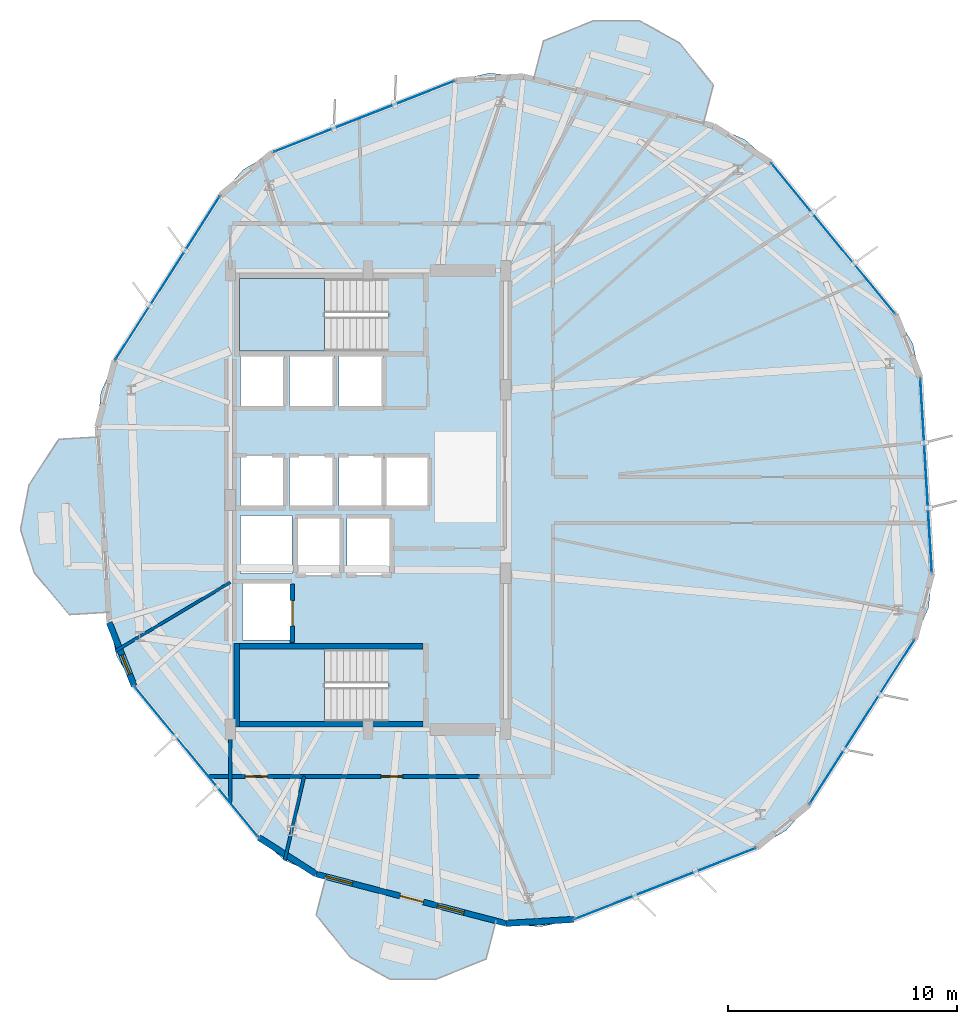
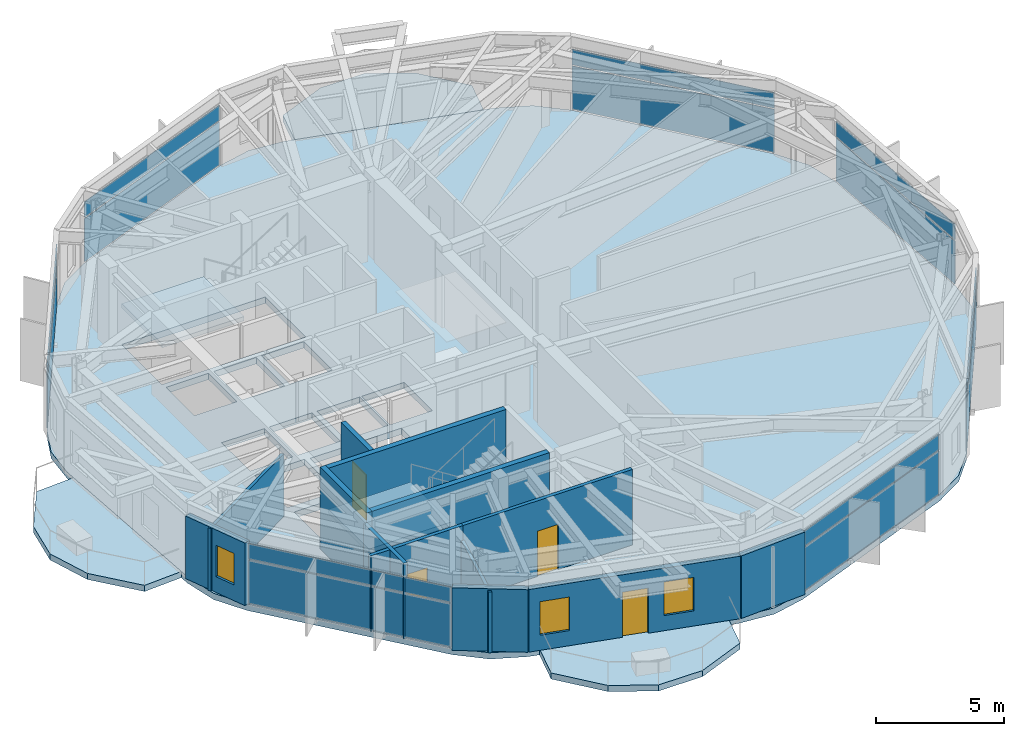
# One storey, part 16 of 22: 14 plates, 13 walls, 6 slabs, 4 doors, 3 windows, 7 openings, 9 elements without a shape of their own.
"""IFC4 building model written with IfcOpenShell, lengths in metres."""

from ifc_helpers import new_model, si_unit, direction, frame, frame_2d, origin, origin_2d, place, context, subcontext, project, spatial, polyline, rectangle, outline, extrude, material, layer, layer_set, type_object, element, fill, aggregate, save


model = new_model("IFC4")

# Units and contexts
model_context = context("Model", 3, precision=1e-05, world=origin(), true_north=direction((0.0, 1.0)))
body_context = subcontext(model_context, "Body", "Model", "MODEL_VIEW")
ifc_project = project(units=[si_unit("LENGTHUNIT", "METRE"), si_unit("AREAUNIT", "SQUARE_METRE"), si_unit("VOLUMEUNIT", "CUBIC_METRE"), si_unit("PLANEANGLEUNIT", "RADIAN"), si_unit("MASSUNIT", "GRAM", prefix="KILO")], contexts=[model_context])

# Site, building, storey
site_placement = place(None, origin())
site = spatial("IfcSite", under=ifc_project, at=site_placement, CompositionType="ELEMENT")
building_placement = place(site_placement, origin())
building = spatial("IfcBuilding", under=site, at=building_placement, Name="Soratama Intermodal Tower", CompositionType="ELEMENT")
storey_placement = place(building_placement, frame((0.0, 0.0, 110.800048828125)))
storey = spatial("IfcBuildingStorey", under=building, at=storey_placement, Name="L26", CompositionType="ELEMENT", Elevation=110.800048828125)

# Curtain wall, plates
ifc_material_1 = material(Name="Double-glazed aluminium curtain wall", Category="aluminium")
ifc_layer_1 = layer(ifc_material_1, 0.159912109375)
ifc_layer_set_1 = layer_set([ifc_layer_1], Name="Double-glazed aluminium curtain wall")
curtain_wall_type = type_object("IfcCurtainWallType", Name="CW-SYS-3", PredefinedType="NOTDEFINED", material=ifc_layer_set_1)
curtain_wall_1_placement = place(storey_placement, origin())
curtain_wall_1 = element("IfcCurtainWall", 1, at=curtain_wall_1_placement, inside=storey, type_object=curtain_wall_type, Name="L26 Faceted Curtain Wall F01", PredefinedType="NOTDEFINED")
ifc_material_2 = material(Name="Low-E laminated double glazing", Category="glass")
ifc_layer_2 = layer(ifc_material_2, 0.028076171875)
ifc_layer_set_2 = layer_set([ifc_layer_2], Name="Low-E laminated double glazing")
plate_type = type_object("IfcPlateType", Name="PT-CWP-3", PredefinedType="CURTAIN_PANEL", material=ifc_layer_set_2)
plate_1_placement = place(storey_placement, frame((58.8759765625, 36.406005859375, 0.059814453125), z_axis=(0.0, 0.0, 1.0), x_axis=(-0.634998434191, 0.77251342291, 0.0)))
plate_1 = element("IfcPlate", 2, at=plate_1_placement, type_object=plate_type, Name="CW-3 panel 1.1", PredefinedType="CURTAIN_PANEL", context=body_context, shape_type="SweptSolid", body=[
    extrude(rectangle(XDim=8.433349609375, YDim=0.028076171875, at=origin_2d()), origin(), (0.0, 0.0, 1.0), 2.06005859375),
])
plate_2_placement = place(storey_placement, frame((58.8759765625, 36.406005859375, 2.18017578125), z_axis=(0.0, 0.0, 1.0), x_axis=(-0.634998434191, 0.77251342291, 0.0)))
plate_2 = element("IfcPlate", 3, at=plate_2_placement, type_object=plate_type, Name="CW-3 panel 1.2", PredefinedType="CURTAIN_PANEL", context=body_context, shape_type="SweptSolid", body=[
    extrude(rectangle(XDim=8.433349609375, YDim=0.028076171875, at=origin_2d()), origin(), (0.0, 0.0, 1.0), 0.739013671875),
])
aggregate(curtain_wall_1, [plate_1, plate_2])

curtain_wall_2_placement = place(storey_placement, origin())
curtain_wall_2 = element("IfcCurtainWall", 4, at=curtain_wall_2_placement, inside=storey, type_object=curtain_wall_type, Name="L26 Faceted Curtain Wall F03", PredefinedType="NOTDEFINED")
plate_3_placement = place(storey_placement, frame((38.440185546875, 41.721435546875, 0.059814453125), z_axis=(0.0, 0.0, 1.0), x_axis=(-0.93092589474, -0.36520813039, 0.0)))
plate_3 = element("IfcPlate", 5, at=plate_3_placement, type_object=plate_type, Name="CW-3 panel 1.1", PredefinedType="CURTAIN_PANEL", context=body_context, shape_type="SweptSolid", body=[
    extrude(rectangle(XDim=8.43310546875, YDim=0.028076171875, at=origin_2d()), origin(), (0.0, 0.0, 1.0), 2.06005859375),
])
plate_4_placement = place(storey_placement, frame((38.440185546875, 41.721435546875, 2.18017578125), z_axis=(0.0, 0.0, 1.0), x_axis=(-0.93092589474, -0.36520813039, 0.0)))
plate_4 = element("IfcPlate", 6, at=plate_4_placement, type_object=plate_type, Name="CW-3 panel 1.2", PredefinedType="CURTAIN_PANEL", context=body_context, shape_type="SweptSolid", body=[
    extrude(rectangle(XDim=8.43310546875, YDim=0.028076171875, at=origin_2d()), origin(), (0.0, 0.0, 1.0), 0.739013671875),
])
aggregate(curtain_wall_2, [plate_3, plate_4])

curtain_wall_3_placement = place(storey_placement, origin())
curtain_wall_3 = element("IfcCurtainWall", 7, at=curtain_wall_3_placement, inside=storey, type_object=curtain_wall_type, Name="L26 Faceted Curtain Wall F04", PredefinedType="NOTDEFINED")
plate_5_placement = place(storey_placement, frame((29.864501953125, 34.672119140625, 0.059814453125), z_axis=(0.0, 0.0, 1.0), x_axis=(-0.538478294608, -0.842639380895, 0.0)))
plate_5 = element("IfcPlate", 8, at=plate_5_placement, type_object=plate_type, Name="CW-3 panel 1.1", PredefinedType="CURTAIN_PANEL", context=body_context, shape_type="SweptSolid", body=[
    extrude(rectangle(XDim=8.433349609375, YDim=0.028076171875, at=origin_2d()), origin(), (0.0, 0.0, 1.0), 2.06005859375),
])
plate_6_placement = place(storey_placement, frame((29.864501953125, 34.672119140625, 2.18017578125), z_axis=(0.0, 0.0, 1.0), x_axis=(-0.538478294608, -0.842639380895, 0.0)))
plate_6 = element("IfcPlate", 9, at=plate_6_placement, type_object=plate_type, Name="CW-3 panel 1.2", PredefinedType="CURTAIN_PANEL", context=body_context, shape_type="SweptSolid", body=[
    extrude(rectangle(XDim=8.433349609375, YDim=0.028076171875, at=origin_2d()), origin(), (0.0, 0.0, 1.0), 0.739013671875),
])
aggregate(curtain_wall_3, [plate_5, plate_6])

curtain_wall_4_placement = place(storey_placement, origin())
curtain_wall_4 = element("IfcCurtainWall", 10, at=curtain_wall_4_placement, inside=storey, type_object=curtain_wall_type, Name="L26 Faceted Curtain Wall F06", PredefinedType="NOTDEFINED")
plate_7_placement = place(storey_placement, frame((31.1240234375, 13.593994140625, 0.059814453125), z_axis=(0.0, 0.0, 1.0), x_axis=(0.634998434191, -0.77251342291, 0.0)))
plate_7 = element("IfcPlate", 11, at=plate_7_placement, type_object=plate_type, Name="CW-3 panel 1.1", PredefinedType="CURTAIN_PANEL", context=body_context, shape_type="SweptSolid", body=[
    extrude(rectangle(XDim=8.433349609375, YDim=0.028076171875, at=origin_2d()), origin(), (0.0, 0.0, 1.0), 2.06005859375),
])
plate_8_placement = place(storey_placement, frame((31.1240234375, 13.593994140625, 2.18017578125), z_axis=(0.0, 0.0, 1.0), x_axis=(0.634998434191, -0.77251342291, 0.0)))
plate_8 = element("IfcPlate", 12, at=plate_8_placement, type_object=plate_type, Name="CW-3 panel 1.2", PredefinedType="CURTAIN_PANEL", context=body_context, shape_type="SweptSolid", body=[
    extrude(rectangle(XDim=8.433349609375, YDim=0.028076171875, at=origin_2d()), origin(), (0.0, 0.0, 1.0), 0.739013671875),
])
aggregate(curtain_wall_4, [plate_7, plate_8])

curtain_wall_5_placement = place(storey_placement, origin())
curtain_wall_5 = element("IfcCurtainWall", 13, at=curtain_wall_5_placement, inside=storey, type_object=curtain_wall_type, Name="L26 Faceted Curtain Wall F08", PredefinedType="NOTDEFINED")
plate_9_placement = place(storey_placement, frame((51.559814453125, 8.278564453125, 0.059814453125), z_axis=(0.0, 0.0, 1.0), x_axis=(0.93092589474, 0.36520813039, 0.0)))
plate_9 = element("IfcPlate", 14, at=plate_9_placement, type_object=plate_type, Name="CW-3 panel 1.1", PredefinedType="CURTAIN_PANEL", context=body_context, shape_type="SweptSolid", body=[
    extrude(rectangle(XDim=8.43310546875, YDim=0.028076171875, at=origin_2d()), origin(), (0.0, 0.0, 1.0), 2.06005859375),
])
plate_10_placement = place(storey_placement, frame((51.559814453125, 8.278564453125, 2.18017578125), z_axis=(0.0, 0.0, 1.0), x_axis=(0.93092589474, 0.36520813039, 0.0)))
plate_10 = element("IfcPlate", 15, at=plate_10_placement, type_object=plate_type, Name="CW-3 panel 1.2", PredefinedType="CURTAIN_PANEL", context=body_context, shape_type="SweptSolid", body=[
    extrude(rectangle(XDim=8.43310546875, YDim=0.028076171875, at=origin_2d()), origin(), (0.0, 0.0, 1.0), 0.739013671875),
])
aggregate(curtain_wall_5, [plate_9, plate_10])

curtain_wall_6_placement = place(storey_placement, origin())
curtain_wall_6 = element("IfcCurtainWall", 16, at=curtain_wall_6_placement, inside=storey, type_object=curtain_wall_type, Name="L26 Faceted Curtain Wall F09", PredefinedType="NOTDEFINED")
plate_11_placement = place(storey_placement, frame((60.135498046875, 15.327880859375, 0.059814453125), z_axis=(0.0, 0.0, 1.0), x_axis=(0.538478294608, 0.842639380895, 0.0)))
plate_11 = element("IfcPlate", 17, at=plate_11_placement, type_object=plate_type, Name="CW-3 panel 1.1", PredefinedType="CURTAIN_PANEL", context=body_context, shape_type="SweptSolid", body=[
    extrude(rectangle(XDim=8.433349609375, YDim=0.028076171875, at=origin_2d()), origin(), (0.0, 0.0, 1.0), 2.06005859375),
])
plate_12_placement = place(storey_placement, frame((60.135498046875, 15.327880859375, 2.18017578125), z_axis=(0.0, 0.0, 1.0), x_axis=(0.538478294608, 0.842639380895, 0.0)))
plate_12 = element("IfcPlate", 18, at=plate_12_placement, type_object=plate_type, Name="CW-3 panel 1.2", PredefinedType="CURTAIN_PANEL", context=body_context, shape_type="SweptSolid", body=[
    extrude(rectangle(XDim=8.433349609375, YDim=0.028076171875, at=origin_2d()), origin(), (0.0, 0.0, 1.0), 0.739013671875),
])
aggregate(curtain_wall_6, [plate_11, plate_12])

curtain_wall_7_placement = place(storey_placement, origin())
curtain_wall_7 = element("IfcCurtainWall", 19, at=curtain_wall_7_placement, inside=storey, type_object=curtain_wall_type, Name="L26 Faceted Curtain Wall F10", PredefinedType="NOTDEFINED")
plate_13_placement = place(storey_placement, frame((62.93017578125, 26.071533203125, 0.059814453125), z_axis=(0.0, 0.0, 1.0), x_axis=(-0.059661628176, 0.998218658473, 0.0)))
plate_13 = element("IfcPlate", 20, at=plate_13_placement, type_object=plate_type, Name="CW-3 panel 1.1", PredefinedType="CURTAIN_PANEL", context=body_context, shape_type="SweptSolid", body=[
    extrude(rectangle(XDim=8.433349609375, YDim=0.028076171875, at=origin_2d()), origin(), (0.0, 0.0, 1.0), 2.06005859375),
])
plate_14_placement = place(storey_placement, frame((62.93017578125, 26.071533203125, 2.18017578125), z_axis=(0.0, 0.0, 1.0), x_axis=(-0.059661628176, 0.998218658473, 0.0)))
plate_14 = element("IfcPlate", 21, at=plate_14_placement, type_object=plate_type, Name="CW-3 panel 1.2", PredefinedType="CURTAIN_PANEL", context=body_context, shape_type="SweptSolid", body=[
    extrude(rectangle(XDim=8.433349609375, YDim=0.028076171875, at=origin_2d()), origin(), (0.0, 0.0, 1.0), 0.739013671875),
])
aggregate(curtain_wall_7, [plate_13, plate_14])

# Slabs
ifc_material_3 = material(Name="Concrete f'c 42 MPa", Category="concrete")
ifc_layer_3 = layer(ifc_material_3, 0.2900390625)
ifc_layer_set_3 = layer_set([ifc_layer_3], Name="Concrete f'c 42 MPa")
slab_type_1 = type_object("IfcSlabType", Name="SL-EXT-BAL2", PredefinedType="FLOOR", material=ifc_layer_set_3)
slab_1_placement = place(storey_placement, frame((0.0, 0.0, -0.2900390625)))
element("IfcSlab", 22, at=slab_1_placement, inside=storey, type_object=slab_type_1, Name="L26 Planted Balcony North 1", PredefinedType="FLOOR", context=body_context, shape_type="SweptSolid", body=[
    extrude(outline(polyline([(53.22509765625, 41.42041015625), (45.818115234375, 43.346923828125), (46.251220703125, 45.01171875), (48.459228515625, 45.899658203125), (50.432861328125, 45.88720703125), (52.16259765625, 44.936279296875), (53.657958984375, 43.0849609375), (53.22509765625, 41.42041015625)])), origin(), (0.0, 0.0, 1.0), 0.2900390625),
])
slab_2_placement = place(storey_placement, frame((0.0, 0.0, -0.2900390625)))
element("IfcSlab", 23, at=slab_2_placement, inside=storey, type_object=slab_type_1, Name="L26 Planted Balcony West 2", PredefinedType="FLOOR", context=body_context, shape_type="SweptSolid", body=[
    extrude(outline(polyline([(26.841552734375, 27.748291015625), (27.298095703125, 20.108642578125), (25.581298828125, 20.006103515625), (24.054443359375, 21.83154296875), (23.456298828125, 23.71240234375), (23.826171875, 25.6513671875), (25.12451171875, 27.645751953125), (26.841552734375, 27.748291015625)])), origin(), (0.0, 0.0, 1.0), 0.2900390625),
])
slab_3_placement = place(storey_placement, frame((0.0, 0.0, -0.2900390625)))
element("IfcSlab", 24, at=slab_3_placement, inside=storey, type_object=slab_type_1, Name="L26 Planted Balcony South 3", PredefinedType="FLOOR", context=body_context, shape_type="SweptSolid", body=[
    extrude(outline(polyline([(36.77490234375, 8.57958984375), (44.181884765625, 6.653076171875), (43.748779296875, 4.98828125), (41.540771484375, 4.100341796875), (39.567138671875, 4.11279296875), (37.83740234375, 5.063720703125), (36.342041015625, 6.9150390625), (36.77490234375, 8.57958984375)])), origin(), (0.0, 0.0, 1.0), 0.2900390625),
])

# Stair, slab
ifc_material_4 = material(Name="Concrete f'c 42 MPa", Category="concrete")
stair_type = type_object("IfcStairType", Name="ST-CORE-DOGLEG", PredefinedType="HALF_TURN_STAIR", material=ifc_material_4)
stair_1_placement = place(storey_placement, origin())
stair_1 = element("IfcStair", 25, at=stair_1_placement, inside=storey, type_object=stair_type, Name="L26 ST-1", PredefinedType="HALF_TURN_STAIR")
ifc_material_5 = material(Name="Concrete f'c 42 MPa", Category="concrete")
ifc_layer_4 = layer(ifc_material_5, 0.219970703125)
ifc_layer_set_4 = layer_set([ifc_layer_4], Name="Concrete f'c 42 MPa")
slab_type_2 = type_object("IfcSlabType", Name="SL-STAIR-LAND", PredefinedType="LANDING", material=ifc_layer_set_4)
slab_4_placement = place(storey_placement, frame((0.0, 0.0, 1.75)))
slab_4 = element("IfcSlab", 26, at=slab_4_placement, type_object=slab_type_2, Name="ST-1 landing 1", PredefinedType="LANDING", context=body_context, shape_type="SweptSolid", body=[
    extrude(outline(polyline([(36.699951171875, 18.5), (33.0, 18.5), (33.0, 15.35009765625), (36.699951171875, 15.35009765625), (36.699951171875, 18.5)])), origin(), (0.0, 0.0, 1.0), 0.199951171875),
])
aggregate(stair_1, [slab_4])

stair_2_placement = place(storey_placement, origin())
stair_2 = element("IfcStair", 27, at=stair_2_placement, inside=storey, type_object=stair_type, Name="L26 ST-2", PredefinedType="HALF_TURN_STAIR")
slab_5_placement = place(storey_placement, frame((0.0, 0.0, 1.75)))
slab_5 = element("IfcSlab", 28, at=slab_5_placement, type_object=slab_type_2, Name="ST-2 landing 1", PredefinedType="LANDING", context=body_context, shape_type="SweptSolid", body=[
    extrude(outline(polyline([(36.699951171875, 34.64990234375), (33.0, 34.64990234375), (33.0, 31.5), (36.699951171875, 31.5), (36.699951171875, 34.64990234375)])), origin(), (0.0, 0.0, 1.0), 0.199951171875),
])
aggregate(stair_2, [slab_5])

# Slab
ifc_material_6 = material(Name="Concrete f'c 42 MPa", Category="concrete")
ifc_layer_5 = layer(ifc_material_6, 0.280029296875)
ifc_layer_set_5 = layer_set([ifc_layer_5], Name="Concrete f'c 42 MPa")
slab_type_3 = type_object("IfcSlabType", Name="SL-TWR-280", PredefinedType="FLOOR", material=ifc_layer_set_5)
slab_6_placement = place(storey_placement, frame((0.0, 0.0, -0.300048828125)))
element("IfcSlab", 29, at=slab_6_placement, inside=storey, type_object=slab_type_3, Name="L26 Structural Floor Slab", PredefinedType="FLOOR", context=body_context, shape_type="SweptSolid", body=[
    extrude(outline(polyline([(62.675048828125, 30.340576171875), (62.35205078125, 31.80712890625), (61.591552734375, 33.102294921875), (56.160400390625, 39.709716796875), (55.036865234375, 40.706298828125), (53.660400390625, 41.30712890625), (45.3828125, 43.460205078125), (43.88818359375, 43.606201171875), (42.42138671875, 43.283203125), (34.458984375, 40.15966796875), (33.163818359375, 39.399169921875), (32.167236328125, 38.27587890625), (27.5615234375, 31.068603515625), (26.960693359375, 29.692138671875), (26.814697265625, 28.197509765625), (27.324951171875, 19.659423828125), (27.64794921875, 18.19287109375), (28.408447265625, 16.897705078125), (33.839599609375, 10.290283203125), (34.963134765625, 9.293701171875), (36.339599609375, 8.69287109375), (44.6171875, 6.539794921875), (46.11181640625, 6.393798828125), (47.57861328125, 6.716796875), (55.541015625, 9.84033203125), (56.836181640625, 10.600830078125), (57.832763671875, 11.72412109375), (62.4384765625, 18.931396484375), (63.039306640625, 20.307861328125), (63.185302734375, 21.802490234375), (62.675048828125, 30.340576171875)]), holes=[polyline([(33.0, 18.5), (33.0, 15.35009765625), (39.47509765625, 15.35009765625), (39.47509765625, 18.5), (33.0, 18.5)]), polyline([(35.260009765625, 18.889892578125), (35.260009765625, 21.409912109375), (33.139892578125, 21.409912109375), (33.139892578125, 18.889892578125), (35.260009765625, 18.889892578125)]), polyline([(33.050048828125, 21.800048828125), (35.280029296875, 21.800048828125), (35.280029296875, 24.320068359375), (33.050048828125, 24.320068359375), (33.050048828125, 21.800048828125)]), polyline([(34.9599609375, 26.909912109375), (33.0400390625, 26.909912109375), (33.0400390625, 24.68994140625), (34.9599609375, 24.68994140625), (34.9599609375, 26.909912109375)]), polyline([(37.110107421875, 24.68994140625), (37.110107421875, 26.909912109375), (35.18994140625, 26.909912109375), (35.18994140625, 24.68994140625), (37.110107421875, 24.68994140625)]), polyline([(34.9599609375, 29.0400390625), (34.9599609375, 31.260009765625), (33.0400390625, 31.260009765625), (33.0400390625, 29.0400390625), (34.9599609375, 29.0400390625)]), polyline([(37.110107421875, 31.260009765625), (35.18994140625, 31.260009765625), (35.18994140625, 29.0400390625), (37.110107421875, 29.0400390625), (37.110107421875, 31.260009765625)]), polyline([(37.409912109375, 21.739990234375), (37.409912109375, 24.260009765625), (35.489990234375, 24.260009765625), (35.489990234375, 21.739990234375), (37.409912109375, 21.739990234375)]), polyline([(39.610107421875, 21.739990234375), (39.610107421875, 24.260009765625), (37.68994140625, 24.260009765625), (37.68994140625, 21.739990234375), (39.610107421875, 21.739990234375)]), polyline([(39.260009765625, 24.68994140625), (39.260009765625, 26.909912109375), (37.340087890625, 26.909912109375), (37.340087890625, 24.68994140625), (39.260009765625, 24.68994140625)]), polyline([(41.260009765625, 24.68994140625), (41.260009765625, 26.909912109375), (39.340087890625, 26.909912109375), (39.340087890625, 24.68994140625), (41.260009765625, 24.68994140625)]), polyline([(39.260009765625, 29.0400390625), (39.260009765625, 31.260009765625), (37.340087890625, 31.260009765625), (37.340087890625, 29.0400390625), (39.260009765625, 29.0400390625)]), polyline([(39.47509765625, 34.64990234375), (33.0, 34.64990234375), (33.0, 31.5), (39.47509765625, 31.5), (39.47509765625, 34.64990234375)])]), origin(), (0.0, 0.0, 1.0), 0.300048828125),
])

# Wall, openings, door, windows
ifc_material_7 = material(Name="Concrete f'c 42 MPa", Category="concrete")
ifc_layer_6 = layer(ifc_material_7, 0.25)
ifc_layer_set_6 = layer_set([ifc_layer_6], Name="Concrete f'c 42 MPa")
wall_type_1 = type_object("IfcWallType", Name="EW-BAL-250", PredefinedType="SOLIDWALL", material=ifc_layer_set_6)
wall_1_placement = place(storey_placement, frame((36.339599609375, 8.69287109375, 0.0), z_axis=(0.0, 0.0, 1.0), x_axis=(0.967796780787, -0.251732777164, 0.0)))
wall_1 = element("IfcWall", 30, at=wall_1_placement, inside=storey, type_object=wall_type_1, Name="L26 Terrace Wall F07", PredefinedType="SOLIDWALL", context=body_context, shape_type="SweptSolid", body=[
    extrude(rectangle(XDim=8.552978515625, YDim=0.25, at=frame_2d((4.2763671875, 0.0))), origin(), (0.0, 0.0, 1.0), 2.97900390625),
])
opening_1_placement = place(wall_1_placement, frame((3.776611328125, 0.0, 0.0)))
opening_1 = element("IfcOpeningElement", 31, at=opening_1_placement, cuts=wall_1, Name="Opening ED-5", PredefinedType="OPENING", context=body_context, shape_type="SweptSolid", body=[
    extrude(rectangle(XDim=1.050048828125, YDim=2.14990234375, at=frame_2d((0.52490234375, 1.074951171875))), frame((0.0, 0.135009765625, 0.0), z_axis=(0.0, -1.0, 0.0), x_axis=(1.0, 0.0, 0.0)), (0.0, 0.0, 1.0), 0.27001953125),
])
opening_2_placement = place(wall_1_placement, frame((0.43994140625, 0.0, 0.719970703125)))
opening_2 = element("IfcOpeningElement", 32, at=opening_2_placement, cuts=wall_1, Name="Opening WN-2", PredefinedType="OPENING", context=body_context, shape_type="SweptSolid", body=[
    extrude(rectangle(XDim=1.199951171875, YDim=1.60009765625, at=frame_2d((0.60009765625, 0.800048828125))), frame((0.0, 0.135009765625, 0.0), z_axis=(0.0, -1.0, 0.0), x_axis=(1.0, 0.0, 0.0)), (0.0, 0.0, 1.0), 0.27001953125),
])
opening_3_placement = place(wall_1_placement, frame((5.466552734375, 0.0, 0.719970703125)))
opening_3 = element("IfcOpeningElement", 33, at=opening_3_placement, cuts=wall_1, Name="Opening WN-2", PredefinedType="OPENING", context=body_context, shape_type="SweptSolid", body=[
    extrude(rectangle(XDim=1.199951171875, YDim=1.60009765625, at=frame_2d((0.60009765625, 0.800048828125))), frame((0.0, 0.135009765625, 0.0), z_axis=(0.0, -1.0, 0.0), x_axis=(1.0, 0.0, 0.0)), (0.0, 0.0, 1.0), 0.27001953125),
])
ifc_material_8 = material(Name="Double-glazed aluminium door", Category="aluminium")
door_type_1 = type_object("IfcDoorType", Name="DR-BAL-1050", OperationType="NOTDEFINED", PredefinedType="DOOR", material=ifc_material_8)
door_1_placement = place(opening_1_placement, origin())
door_1 = element("IfcDoor", 34, at=door_1_placement, inside=storey, type_object=door_type_1, Name="L26 Balcony Door F07", OperationType="SINGLE_SWING_LEFT", OverallHeight=2.14990234375, OverallWidth=1.050048828125, PredefinedType="DOOR", context=body_context, shape_type="SweptSolid", body=[
    extrude(rectangle(XDim=1.050048828125, YDim=2.14990234375, at=frame_2d((0.52490234375, 1.074951171875))), frame((0.0, 0.02490234375, 0.0), z_axis=(0.0, -1.0, 0.0), x_axis=(1.0, 0.0, 0.0)), (0.0, 0.0, 1.0), 0.050048828125),
])
fill(opening_1, door_1)
ifc_material_9 = material(Name="Double-glazed aluminium window", Category="aluminium")
window_type_1 = type_object("IfcWindowType", Name="WN-FAC-1200", PartitioningType="SINGLE_PANEL", PredefinedType="WINDOW", material=ifc_material_9)
window_1_placement = place(opening_2_placement, origin())
window_1 = element("IfcWindow", 35, at=window_1_placement, inside=storey, type_object=window_type_1, Name="L26 Window A F07", OverallHeight=1.60009765625, OverallWidth=1.199951171875, PartitioningType="SINGLE_PANEL", PredefinedType="WINDOW", context=body_context, shape_type="SweptSolid", body=[
    extrude(rectangle(XDim=1.199951171875, YDim=1.60009765625, at=frame_2d((0.60009765625, 0.800048828125))), frame((0.0, 0.030029296875, 0.0), z_axis=(0.0, -1.0, 0.0), x_axis=(1.0, 0.0, 0.0)), (0.0, 0.0, 1.0), 0.06005859375),
])
fill(opening_2, window_1)
window_2_placement = place(opening_3_placement, origin())
window_2 = element("IfcWindow", 36, at=window_2_placement, inside=storey, type_object=window_type_1, Name="L26 Window B F07", OverallHeight=1.60009765625, OverallWidth=1.199951171875, PartitioningType="SINGLE_PANEL", PredefinedType="WINDOW", context=body_context, shape_type="SweptSolid", body=[
    extrude(rectangle(XDim=1.199951171875, YDim=1.60009765625, at=frame_2d((0.60009765625, 0.800048828125))), frame((0.0, 0.030029296875, 0.0), z_axis=(0.0, -1.0, 0.0), x_axis=(1.0, 0.0, 0.0)), (0.0, 0.0, 1.0), 0.06005859375),
])
fill(opening_3, window_2)

# Wall, opening, window
ifc_material_10 = material(Name="Concrete f'c 42 MPa", Category="concrete")
ifc_layer_7 = layer(ifc_material_10, 0.27001953125)
ifc_layer_set_7 = layer_set([ifc_layer_7], Name="Concrete f'c 42 MPa")
wall_type_2 = type_object("IfcWallType", Name="EW-CRN-270", PredefinedType="SOLIDWALL", material=ifc_layer_set_7)
wall_2_placement = place(storey_placement, frame((27.324951171875, 19.659423828125, 0.0), z_axis=(0.0, 0.0, 1.0), x_axis=(0.365224582411, -0.93091944034, 0.0)))
wall_2 = element("IfcWall", 37, at=wall_2_placement, inside=storey, type_object=wall_type_2, Name="L26 Corner Closure Wall 05", PredefinedType="SOLIDWALL", context=body_context, shape_type="SweptSolid", body=[
    extrude(rectangle(XDim=2.966552734375, YDim=0.27001953125, at=frame_2d((1.4833984375, 0.0))), origin(), (0.0, 0.0, 1.0), 2.97900390625),
])
opening_4_placement = place(wall_2_placement, frame((1.519287109375, 0.0, 0.75)))
opening_4 = element("IfcOpeningElement", 38, at=opening_4_placement, cuts=wall_2, Name="Opening WN-6", PredefinedType="OPENING", context=body_context, shape_type="SweptSolid", body=[
    extrude(rectangle(XDim=0.89990234375, YDim=1.5, at=frame_2d((0.449951171875, 0.75))), frame((0.0, 0.14501953125, 0.0), z_axis=(0.0, -1.0, 0.0), x_axis=(1.0, 0.0, 0.0)), (0.0, 0.0, 1.0), 0.2900390625),
])
ifc_material_11 = material(Name="Double-glazed aluminium window", Category="aluminium")
window_type_2 = type_object("IfcWindowType", Name="WN-FAC-900", PartitioningType="SINGLE_PANEL", PredefinedType="WINDOW", material=ifc_material_11)
window_3_placement = place(opening_4_placement, origin())
window_3 = element("IfcWindow", 39, at=window_3_placement, inside=storey, type_object=window_type_2, Name="L26 Corner Window 05", OverallHeight=1.5, OverallWidth=0.89990234375, PartitioningType="SINGLE_PANEL", PredefinedType="WINDOW", context=body_context, shape_type="SweptSolid", body=[
    extrude(rectangle(XDim=0.89990234375, YDim=1.5, at=frame_2d((0.449951171875, 0.75))), frame((0.0, 0.030029296875, 0.0), z_axis=(0.0, -1.0, 0.0), x_axis=(1.0, 0.0, 0.0)), (0.0, 0.0, 1.0), 0.06005859375),
])
fill(opening_4, window_3)

# Walls
for number, where, z_axis, x_axis, name in (
    (40, (33.839599609375, 10.290283203125, 0.0), (0.0, 0.0, 1.0), (0.842667219755, -0.538434728404, 0.0), "L26 Corner Closure Wall 06"),
    (41, (44.6171875, 6.539794921875, 0.0), (0.0, 0.0, 1.0), (0.998218594755, 0.059662694245, 0.0), "L26 Corner Closure Wall 07"),
):
    element("IfcWall", number, at=place(storey_placement, frame(where, z_axis=z_axis, x_axis=x_axis)), inside=storey, type_object=wall_type_2, Name=name, PredefinedType="SOLIDWALL", context=body_context, shape_type="SweptSolid", body=[
        extrude(rectangle(XDim=2.966796875, YDim=0.27001953125, at=frame_2d((1.4833984375, 0.0))), origin(), (0.0, 0.0, 1.0), 2.97900390625),
    ])

# Wall, opening, door
ifc_material_12 = material(Name="Fire-rated gypsum stud partition", Category="concrete")
ifc_layer_8 = layer(ifc_material_12, 0.159912109375)
ifc_layer_set_8 = layer_set([ifc_layer_8], Name="Fire-rated gypsum stud partition")
wall_type_3 = type_object("IfcWallType", Name="IW-PART-R160", PredefinedType="PARTITIONING", material=ifc_layer_set_8)
wall_3_placement = place(storey_placement, frame((43.455078125, 12.949951171875, 0.0), z_axis=(0.0, 0.0, 1.0), x_axis=(-1.0, 0.0, 0.0)))
wall_3 = element("IfcWall", 42, at=wall_3_placement, inside=storey, type_object=wall_type_3, Name="L26 Partition W-L26-TP010", PredefinedType="PARTITIONING", context=body_context, shape_type="SweptSolid", body=[
    extrude(rectangle(XDim=7.635986328125, YDim=0.159912109375, at=frame_2d((3.81787109375, 0.0))), origin(), (0.0, 0.0, 1.0), 3.599853515625),
])
opening_5_placement = place(wall_3_placement, frame((3.343017578125, 0.0, 0.0)))
opening_5 = element("IfcOpeningElement", 43, at=opening_5_placement, cuts=wall_3, Name="Opening ID-3", PredefinedType="OPENING", context=body_context, shape_type="SweptSolid", body=[
    extrude(rectangle(XDim=0.949951171875, YDim=2.14990234375, at=frame_2d((0.47509765625, 1.074951171875))), frame((0.0, 0.08984375, 0.0), z_axis=(0.0, -1.0, 0.0), x_axis=(1.0, 0.0, 0.0)), (0.0, 0.0, 1.0), 0.179931640625),
])
ifc_material_13 = material(Name="Solid hardwood acoustic door", Category="wood")
door_type_2 = type_object("IfcDoorType", Name="DR-ROOM-950", OperationType="NOTDEFINED", PredefinedType="DOOR", material=ifc_material_13)
door_2_placement = place(opening_5_placement, origin())
door_2 = element("IfcDoor", 44, at=door_2_placement, inside=storey, type_object=door_type_2, Name="L26 Door D-L26-TP004", OperationType="SINGLE_SWING_LEFT", OverallHeight=2.14990234375, OverallWidth=0.949951171875, PredefinedType="DOOR", context=body_context, shape_type="SweptSolid", body=[
    extrude(rectangle(XDim=0.949951171875, YDim=2.14990234375, at=frame_2d((0.47509765625, 1.074951171875))), frame((0.0, 0.02490234375, 0.0), z_axis=(0.0, -1.0, 0.0), x_axis=(1.0, 0.0, 0.0)), (0.0, 0.0, 1.0), 0.050048828125),
])
fill(opening_5, door_2)

wall_4_placement = place(storey_placement, frame((35.819091796875, 12.949951171875, 0.0), z_axis=(0.0, 0.0, 1.0), x_axis=(-1.0, 0.0, 0.0)))
wall_4 = element("IfcWall", 45, at=wall_4_placement, inside=storey, type_object=wall_type_3, Name="L26 Partition W-L26-TP018", PredefinedType="PARTITIONING", context=body_context, shape_type="SweptSolid", body=[
    extrude(rectangle(XDim=4.166015625, YDim=0.159912109375, at=frame_2d((2.0830078125, 0.0))), origin(), (0.0, 0.0, 1.0), 3.599853515625),
])
opening_6_placement = place(wall_4_placement, frame((1.60791015625, 0.0, 0.0)))
opening_6 = element("IfcOpeningElement", 46, at=opening_6_placement, cuts=wall_4, Name="Opening ID-3", PredefinedType="OPENING", context=body_context, shape_type="SweptSolid", body=[
    extrude(rectangle(XDim=0.949951171875, YDim=2.14990234375, at=frame_2d((0.47509765625, 1.074951171875))), frame((0.0, 0.08984375, 0.0), z_axis=(0.0, -1.0, 0.0), x_axis=(1.0, 0.0, 0.0)), (0.0, 0.0, 1.0), 0.179931640625),
])
door_3_placement = place(opening_6_placement, origin())
door_3 = element("IfcDoor", 47, at=door_3_placement, inside=storey, type_object=door_type_2, Name="L26 Door D-L26-TP007", OperationType="SINGLE_SWING_RIGHT", OverallHeight=2.14990234375, OverallWidth=0.949951171875, PredefinedType="DOOR", context=body_context, shape_type="SweptSolid", body=[
    extrude(rectangle(XDim=0.949951171875, YDim=2.14990234375, at=frame_2d((0.47509765625, 1.074951171875))), frame((0.0, 0.02490234375, 0.0), z_axis=(0.0, -1.0, 0.0), x_axis=(1.0, 0.0, 0.0)), (0.0, 0.0, 1.0), 0.050048828125),
])
fill(opening_6, door_3)

# Walls
wall_5_placement = place(storey_placement, frame((32.60009765625, 11.798095703125, 0.0), z_axis=(0.0, 0.0, 1.0), x_axis=(0.0, 1.0, 0.0)))
element("IfcWall", 48, at=wall_5_placement, inside=storey, type_object=wall_type_3, Name="L26 Partition W-L26-TP022", PredefinedType="PARTITIONING", context=body_context, shape_type="SweptSolid", body=[
    extrude(rectangle(XDim=3.1318359375, YDim=0.159912109375, at=frame_2d((1.56591796875, 0.0))), origin(), (0.0, 0.0, 1.0), 3.599853515625),
])
ifc_material_14 = material(Name="Fire-rated gypsum stud partition", Category="concrete")
ifc_layer_9 = layer(ifc_material_14, 0.1298828125)
ifc_layer_set_9 = layer_set([ifc_layer_9], Name="Fire-rated gypsum stud partition")
wall_type_4 = type_object("IfcWallType", Name="IW-PART-S130", PredefinedType="PARTITIONING", material=ifc_layer_set_9)
wall_6_placement = place(storey_placement, frame((32.60009765625, 21.410888671875, 0.0), z_axis=(0.0, 0.0, 1.0), x_axis=(-0.858275512682, -0.513189189608, 0.0)))
element("IfcWall", 49, at=wall_6_placement, inside=storey, type_object=wall_type_4, Name="L26 Partition W-L26-TP015", PredefinedType="PARTITIONING", context=body_context, shape_type="SweptSolid", body=[
    extrude(rectangle(XDim=5.828125, YDim=0.1298828125, at=frame_2d((2.9140625, 0.0))), origin(), (0.0, 0.0, 1.0), 2.97802734375),
])
ifc_material_15 = material(Name="Fire-rated gypsum stud partition", Category="concrete")
ifc_layer_10 = layer(ifc_material_15, 0.139892578125)
ifc_layer_set_10 = layer_set([ifc_layer_10], Name="Fire-rated gypsum stud partition")
wall_type_5 = type_object("IfcWallType", Name="IW-PART-S140", PredefinedType="PARTITIONING", material=ifc_layer_set_10)
wall_7_placement = place(storey_placement, frame((35.819091796875, 12.949951171875, 0.0), z_axis=(0.0, 0.0, 1.0), x_axis=(-0.22520590808, -0.974311192056, 0.0)))
element("IfcWall", 50, at=wall_7_placement, inside=storey, type_object=wall_type_5, Name="L26 Partition W-L26-TP019", PredefinedType="PARTITIONING", context=body_context, shape_type="SweptSolid", body=[
    extrude(rectangle(XDim=3.75732421875, YDim=0.139892578125, at=frame_2d((1.878662109375, 0.0))), origin(), (0.0, 0.0, 1.0), 2.89501953125),
])

# Wall, opening, door
ifc_material_16 = material(Name="Concrete f'c 42 MPa", Category="concrete")
ifc_layer_11 = layer(ifc_material_16, 0.199951171875)
ifc_layer_set_11 = layer_set([ifc_layer_11], Name="Concrete f'c 42 MPa")
wall_type_6 = type_object("IfcWallType", Name="IW-SHAFT-200", PredefinedType="SOLIDWALL", material=ifc_layer_set_11)
wall_8_placement = place(storey_placement, frame((35.300048828125, 18.7900390625, 0.0), z_axis=(0.0, 0.0, 1.0), x_axis=(0.0, 1.0, 0.0)))
wall_8 = element("IfcWall", 51, at=wall_8_placement, inside=storey, type_object=wall_type_6, Name="L26 SVL-1 Hoistway Wall E", PredefinedType="SOLIDWALL", context=body_context, shape_type="SweptSolid", body=[
    extrude(rectangle(XDim=2.550048828125, YDim=0.199951171875, at=frame_2d((1.27490234375, 0.0))), origin(), (0.0, 0.0, 1.0), 3.599853515625),
])
opening_7_placement = place(wall_8_placement, frame((0.72509765625, 0.0, 0.0)))
opening_7 = element("IfcOpeningElement", 52, at=opening_7_placement, cuts=wall_8, Name="Opening LD-1", PredefinedType="OPENING", context=body_context, shape_type="SweptSolid", body=[
    extrude(rectangle(XDim=1.10009765625, YDim=2.14990234375, at=frame_2d((0.550048828125, 1.074951171875))), frame((0.0, 0.10986328125, 0.0), z_axis=(0.0, -1.0, 0.0), x_axis=(1.0, 0.0, 0.0)), (0.0, 0.0, 1.0), 0.219970703125),
])
ifc_material_17 = material(Name="Steel fire door", Category="steel")
door_type_3 = type_object("IfcDoorType", Name="DR-LIFT-SLIDE", OperationType="NOTDEFINED", PredefinedType="DOOR", material=ifc_material_17)
door_4_placement = place(opening_7_placement, origin())
door_4 = element("IfcDoor", 53, at=door_4_placement, inside=storey, type_object=door_type_3, Name="L26 SVL-1 Sliding Landing Door", OperationType="SLIDING_TO_LEFT", OverallHeight=2.14990234375, OverallWidth=1.10009765625, PredefinedType="DOOR", context=body_context, shape_type="SweptSolid", body=[
    extrude(rectangle(XDim=1.10009765625, YDim=2.14990234375, at=frame_2d((0.550048828125, 1.074951171875))), frame((0.0, 0.02490234375, 0.0), z_axis=(0.0, -1.0, 0.0), x_axis=(1.0, 0.0, 0.0)), (0.0, 0.0, 1.0), 0.050048828125),
])
fill(opening_7, door_4)

# Walls
ifc_material_18 = material(Name="Concrete f'c 56 MPa", Category="concrete")
ifc_layer_12 = layer(ifc_material_18, 0.239990234375)
ifc_layer_set_12 = layer_set([ifc_layer_12], Name="Concrete f'c 56 MPa")
wall_type_7 = type_object("IfcWallType", Name="SW-STAIR-240", PredefinedType="SHEAR", material=ifc_layer_set_12)
wall_9_placement = place(storey_placement, frame((32.8798828125, 15.110107421875, 0.0), z_axis=(0.0, 0.0, 1.0), x_axis=(0.0, 1.0, 0.0)))
element("IfcWall", 54, at=wall_9_placement, inside=storey, type_object=wall_type_7, Name="L26 ST-1 Shaft Shear Wall W", PredefinedType="SHEAR", context=body_context, shape_type="SweptSolid", body=[
    extrude(rectangle(XDim=3.6298828125, YDim=0.239990234375, at=frame_2d((1.81494140625, 0.0))), origin(), (0.0, 0.0, 1.0), 3.89990234375),
])
for number, where, z_axis, x_axis, name in (
    (55, (33.0, 15.22998046875, 0.0), (0.0, 0.0, 1.0), (1.0, 0.0, 0.0), "L26 ST-1 Shaft Shear Wall S"),
    (56, (33.0, 18.6201171875, 0.0), (0.0, 0.0, 1.0), (1.0, 0.0, 0.0), "L26 ST-1 Shaft Shear Wall N"),
):
    element("IfcWall", number, at=place(storey_placement, frame(where, z_axis=z_axis, x_axis=x_axis)), inside=storey, type_object=wall_type_7, Name=name, PredefinedType="SHEAR", context=body_context, shape_type="SweptSolid", body=[
        extrude(rectangle(XDim=8.0, YDim=0.239990234375, at=frame_2d((4.0, 0.0))), origin(), (0.0, 0.0, 1.0), 3.89990234375),
    ])

save(model, "model.ifc")
